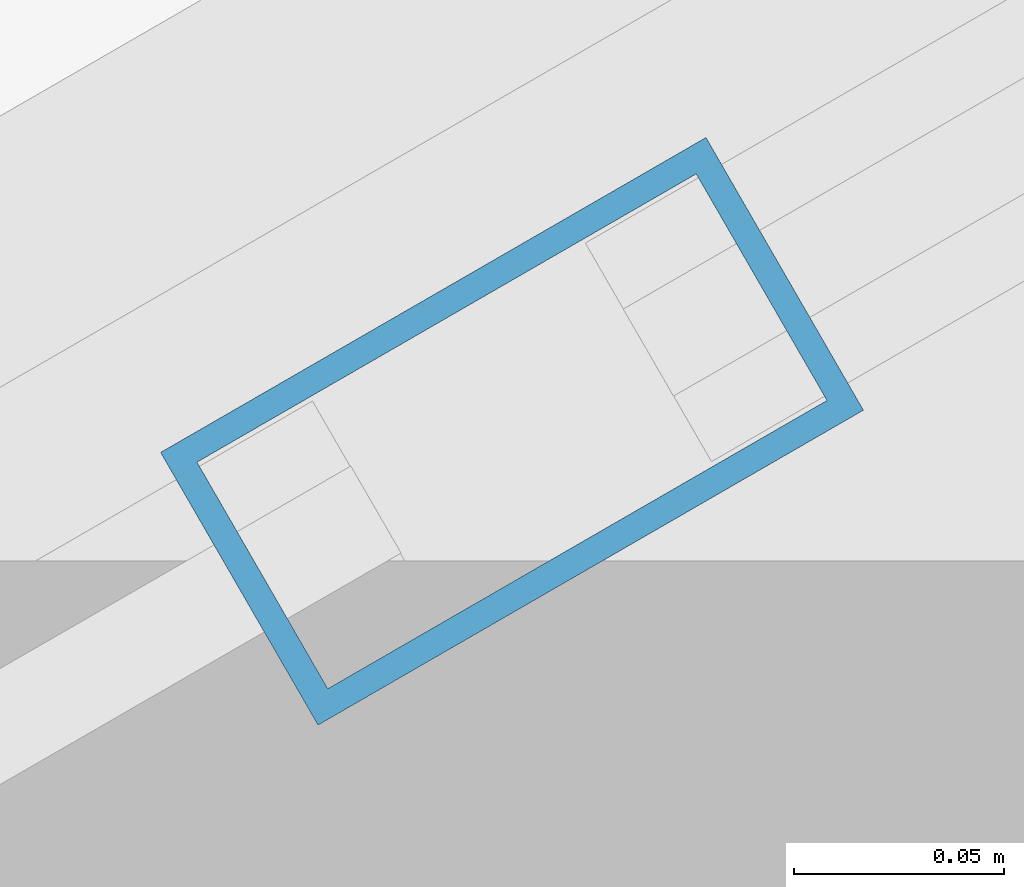
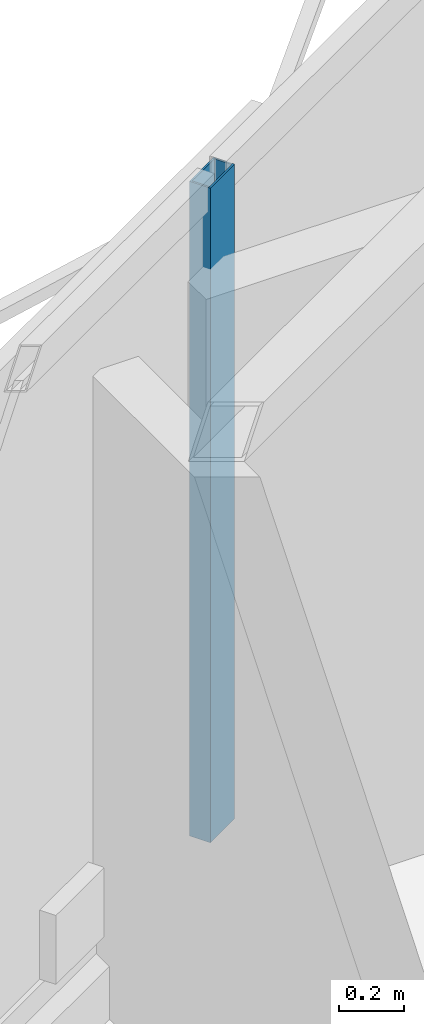
# One storey, part 11 of 23: 1 member, 1 element without a shape of its own.
"""IFC4 building model written with IfcOpenShell, lengths in metres."""

from ifc_helpers import new_model, si_unit, direction, frame, origin, origin_2d, place, context, subcontext, project, spatial, hollow_rectangle, extrude, material, layer, layer_set, material_profile, profile_set, type_object, element, aggregate, save


model = new_model("IFC4")

# Units and contexts
model_context = context("Model", 3, precision=1e-05, world=origin(), true_north=direction((0.0, 1.0)))
body_context = subcontext(model_context, "Body", "Model", "MODEL_VIEW")
ifc_project = project(units=[si_unit("LENGTHUNIT", "METRE"), si_unit("AREAUNIT", "SQUARE_METRE"), si_unit("VOLUMEUNIT", "CUBIC_METRE"), si_unit("PLANEANGLEUNIT", "RADIAN"), si_unit("MASSUNIT", "GRAM", prefix="KILO")], contexts=[model_context])

# Site, building, storey
site_placement = place(None, origin())
site = spatial("IfcSite", under=ifc_project, at=site_placement, CompositionType="ELEMENT")
building_placement = place(site_placement, origin())
building = spatial("IfcBuilding", under=site, at=building_placement, Name="Mersakhor Tower and Convention Hall", CompositionType="ELEMENT")
storey_placement = place(building_placement, frame((0.0, 0.0, 106.5)))
storey = spatial("IfcBuildingStorey", under=building, at=storey_placement, Name="L29", CompositionType="ELEMENT", Elevation=106.5)

# Curtain wall, member
ifc_material_1 = material(Name="Dark solar low-E aluminium curtain wall", Category="aluminium")
ifc_layer = layer(ifc_material_1, 0.159912109375)
ifc_layer_set = layer_set([ifc_layer], Name="Dark solar low-E aluminium curtain wall")
curtain_wall_type = type_object("IfcCurtainWallType", Name="CW-SYS-01", PredefinedType="USERDEFINED", material=ifc_layer_set)
curtain_wall_placement = place(storey_placement, origin())
curtain_wall = element("IfcCurtainWall", 1, at=curtain_wall_placement, inside=storey, type_object=curtain_wall_type, Name="L29 Dark-Glass Curtain Wall F1-B2", ObjectType="CURTAIN WALL", PredefinedType="USERDEFINED")
ifc_material_2 = material(Name="Anodised aluminium EN AW-6063 T6", Category="aluminium")
ifc_material_profile = material_profile(ifc_material_2, hollow_rectangle(XDim=0.074951171875, YDim=0.14990234375, WallThickness=0.00634765625, at=origin_2d()), Name="RHS 150x75x6.3")
ifc_profile_set = profile_set([ifc_material_profile], Name="Anodised aluminium EN AW-6063 T6")
member_type = type_object("IfcMemberType", Name="CWM-150x75", PredefinedType="MULLION", material=ifc_profile_set)
member_placement = place(storey_placement, frame((20.36181640625, 37.968505859375, 0.199951171875), z_axis=(0.0, 0.0, 1.0), x_axis=(-0.499997904985, 0.866026613339, 0.0)))
member = element("IfcMember", 2, at=member_placement, type_object=member_type, Name="CW-01 mullion 2", PredefinedType="MULLION", context=body_context, shape_type="SweptSolid", body=[
    extrude(hollow_rectangle(XDim=0.074951171875, YDim=0.14990234375, WallThickness=0.00634765625, at=origin_2d()), origin(), (0.0, 0.0, 1.0), 2.469970703125),
])
aggregate(curtain_wall, [member])

save(model, "model.ifc")
